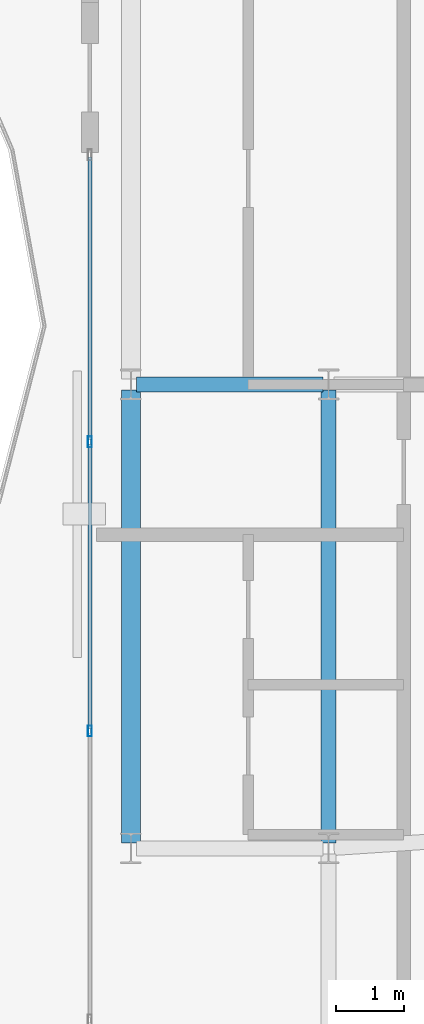
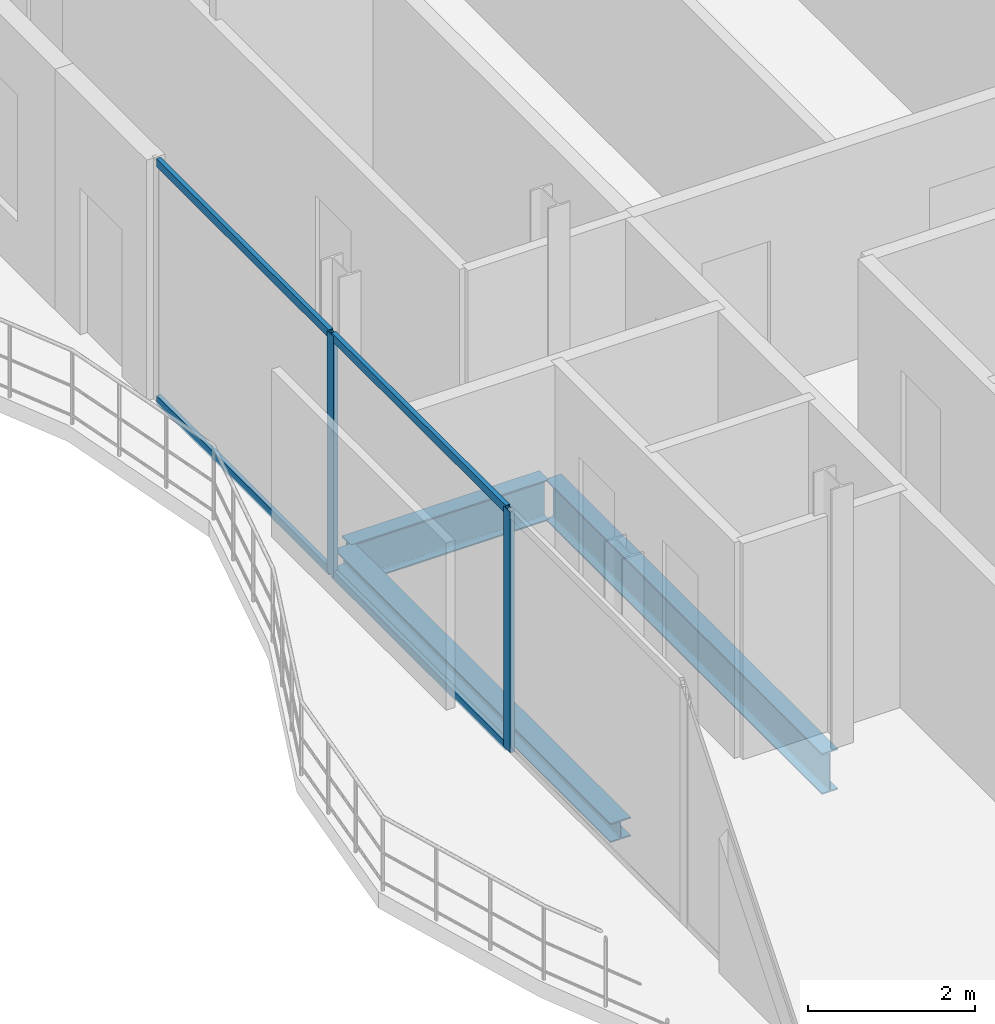
# One storey, part 10 of 23: 6 members, 3 beams, 1 element without a shape of its own.
"""IFC4 building model written with IfcOpenShell, lengths in metres."""

from ifc_helpers import new_model, si_unit, direction, frame, origin, origin_2d, place, context, subcontext, project, spatial, hollow_rectangle, i_section, extrude, material, layer, layer_set, material_profile, profile_set, type_object, element, aggregate, save


model = new_model("IFC4")

# Units and contexts
model_context = context("Model", 3, precision=1e-05, world=origin(), true_north=direction((0.0, 1.0)))
body_context = subcontext(model_context, "Body", "Model", "MODEL_VIEW")
ifc_project = project(units=[si_unit("LENGTHUNIT", "METRE"), si_unit("AREAUNIT", "SQUARE_METRE"), si_unit("VOLUMEUNIT", "CUBIC_METRE"), si_unit("PLANEANGLEUNIT", "RADIAN"), si_unit("MASSUNIT", "GRAM", prefix="KILO")], contexts=[model_context])

# Site, building, storey
site_placement = place(None, origin())
site = spatial("IfcSite", under=ifc_project, at=site_placement, CompositionType="ELEMENT")
building_placement = place(site_placement, origin())
building = spatial("IfcBuilding", under=site, at=building_placement, Name="Catumbela Crestline Tower", CompositionType="ELEMENT")
storey_placement = place(building_placement, frame((0.0, 0.0, 241.2)))
storey = spatial("IfcBuildingStorey", under=building, at=storey_placement, Name="L62", CompositionType="ELEMENT", Elevation=241.2)

# Beams
ifc_material_1 = material(Name="Structural steel S355J2", Category="steel")
ifc_material_profile_1 = material_profile(ifc_material_1, i_section(OverallWidth=0.22, OverallDepth=0.6, WebThickness=0.012, FlangeThickness=0.019, FilletRadius=0.024, at=origin_2d()), Name="IPE 600")
ifc_profile_set_1 = profile_set([ifc_material_profile_1], Name="Structural steel S355J2")
beam_type_1 = type_object("IfcBeamType", Name="BG-IPE600", PredefinedType="BEAM", material=ifc_profile_set_1)
beam_1_placement = place(storey_placement, frame((5.68, 30.8, -0.56), z_axis=(1.0, 0.0, 0.0), x_axis=(0.0, 1.0, 0.0)))
element("IfcBeam", 1, at=beam_1_placement, inside=storey, type_object=beam_type_1, Name="L62 Beam BM-L62-M06", PredefinedType="BEAM", context=body_context, shape_type="SweptSolid", body=[
    extrude(i_section(OverallWidth=0.22, OverallDepth=0.6, WebThickness=0.012, FlangeThickness=0.019, FilletRadius=0.024, at=origin_2d()), origin(), (0.0, 0.0, 1.0), 2.74),
])
beam_2_placement = place(storey_placement, frame((8.5, 24.08, -0.56), z_axis=(0.0, 1.0, 0.0), x_axis=(-1.0, 0.0, 0.0)))
element("IfcBeam", 2, at=beam_2_placement, inside=storey, type_object=beam_type_1, Name="L62 Beam BM-L62-SN14", PredefinedType="BEAM", context=body_context, shape_type="SweptSolid", body=[
    extrude(i_section(OverallWidth=0.22, OverallDepth=0.6, WebThickness=0.012, FlangeThickness=0.019, FilletRadius=0.024, at=origin_2d()), origin(), (0.0, 0.0, 1.0), 6.64),
])

# Curtain wall, members
ifc_material_2 = material(Name="Aluminium alloy AW-6060-T66", Category="aluminium")
ifc_layer = layer(ifc_material_2, 0.18, Name="Aluminium alloy AW-6060-T66")
ifc_layer_set = layer_set([ifc_layer], Name="Aluminium alloy AW-6060-T66")
curtain_wall_type = type_object("IfcCurtainWallType", Name="CWU-Z4", PredefinedType="USERDEFINED", material=ifc_layer_set)
curtain_wall_placement = place(storey_placement, origin())
curtain_wall = element("IfcCurtainWall", 3, at=curtain_wall_placement, inside=storey, type_object=curtain_wall_type, Name="L62 Unitised Curtain Wall CW-L62-E9S2", ObjectType="UNITISED", PredefinedType="USERDEFINED")
ifc_material_profile_2 = material_profile(ifc_material_2, hollow_rectangle(XDim=0.06, YDim=0.16, WallThickness=0.004, at=origin_2d()), Name="ALU 160x60x4")
ifc_profile_set_2 = profile_set([ifc_material_profile_2], Name="Aluminium alloy AW-6060-T66")
member_type_1 = type_object("IfcMemberType", Name="MUL-160X60", PredefinedType="MULLION", material=ifc_profile_set_2)
member_1_placement = place(storey_placement, frame((5.0, 29.96, 0.0), z_axis=(0.0, 0.0, 1.0), x_axis=(1.0, 0.0, 0.0)))
member_1 = element("IfcMember", 4, at=member_1_placement, type_object=member_type_1, Name="CWU-Z4 mullion 2", PredefinedType="MULLION", context=body_context, shape_type="SweptSolid", body=[
    extrude(hollow_rectangle(XDim=0.06, YDim=0.16, WallThickness=0.004, at=origin_2d()), origin(), (0.0, 0.0, 1.0), 3.53),
])
member_2_placement = place(storey_placement, frame((5.0, 25.72, 0.0), z_axis=(0.0, 0.0, 1.0), x_axis=(1.0, 0.0, 0.0)))
member_2 = element("IfcMember", 5, at=member_2_placement, type_object=member_type_1, Name="CWU-Z4 mullion 3", PredefinedType="MULLION", context=body_context, shape_type="SweptSolid", body=[
    extrude(hollow_rectangle(XDim=0.06, YDim=0.16, WallThickness=0.004, at=origin_2d()), origin(), (0.0, 0.0, 1.0), 3.53),
])

# Beam
ifc_material_profile_3 = material_profile(ifc_material_1, i_section(OverallWidth=0.28, OverallDepth=0.28, WebThickness=0.0105, FlangeThickness=0.018, FilletRadius=0.024, at=origin_2d()), Name="HEB 280")
ifc_profile_set_3 = profile_set([ifc_material_profile_3], Name="Structural steel S355J2")
beam_type_2 = type_object("IfcBeamType", Name="BS-HEB280", PredefinedType="SPANDREL", material=ifc_profile_set_3)
beam_3_placement = place(storey_placement, frame((5.6, 24.08, -0.4), z_axis=(0.0, 1.0, 0.0), x_axis=(-1.0, 0.0, 0.0)))
element("IfcBeam", 6, at=beam_3_placement, inside=storey, type_object=beam_type_2, Name="L62 Spandrel SP-L62-SN12", PredefinedType="SPANDREL", context=body_context, shape_type="SweptSolid", body=[
    extrude(i_section(OverallWidth=0.28, OverallDepth=0.28, WebThickness=0.0105, FlangeThickness=0.018, FilletRadius=0.024, at=origin_2d()), origin(), (0.0, 0.0, 1.0), 6.64),
])

# Member
ifc_material_profile_4 = material_profile(ifc_material_2, hollow_rectangle(XDim=0.06, YDim=0.12, WallThickness=0.0035, at=origin_2d()), Name="ALU 120x60x3.5")
ifc_profile_set_4 = profile_set([ifc_material_profile_4], Name="Aluminium alloy AW-6060-T66")
member_type_2 = type_object("IfcMemberType", Name="TRN-120X60", PredefinedType="USERDEFINED", material=ifc_profile_set_4)
member_3_placement = place(storey_placement, frame((5.0, 34.135, 0.03), z_axis=(0.0, -1.0, 0.0), x_axis=(1.0, 0.0, 0.0)))
member_3 = element("IfcMember", 7, at=member_3_placement, type_object=member_type_2, Name="CWU-Z4 transom 1.1", ObjectType="TRANSOM", PredefinedType="USERDEFINED", context=body_context, shape_type="SweptSolid", body=[
    extrude(hollow_rectangle(XDim=0.06, YDim=0.12, WallThickness=0.0035, at=origin_2d()), origin(), (0.0, 0.0, 1.0), 4.1425),
])

member_4_placement = place(storey_placement, frame((5.0, 34.135, 3.5), z_axis=(0.0, -1.0, 0.0), x_axis=(1.0, 0.0, 0.0)))
member_4 = element("IfcMember", 8, at=member_4_placement, type_object=member_type_2, Name="CWU-Z4 transom 1.2", ObjectType="TRANSOM", PredefinedType="USERDEFINED", context=body_context, shape_type="SweptSolid", body=[
    extrude(hollow_rectangle(XDim=0.06, YDim=0.12, WallThickness=0.0035, at=origin_2d()), origin(), (0.0, 0.0, 1.0), 4.1425),
])

member_5_placement = place(storey_placement, frame((5.0, 29.9275, 0.03), z_axis=(0.0, -1.0, 0.0), x_axis=(1.0, 0.0, 0.0)))
member_5 = element("IfcMember", 9, at=member_5_placement, type_object=member_type_2, Name="CWU-Z4 transom 2.1", ObjectType="TRANSOM", PredefinedType="USERDEFINED", context=body_context, shape_type="SweptSolid", body=[
    extrude(hollow_rectangle(XDim=0.06, YDim=0.12, WallThickness=0.0035, at=origin_2d()), origin(), (0.0, 0.0, 1.0), 4.175),
])

member_6_placement = place(storey_placement, frame((5.0, 29.9275, 3.5), z_axis=(0.0, -1.0, 0.0), x_axis=(1.0, 0.0, 0.0)))
member_6 = element("IfcMember", 10, at=member_6_placement, type_object=member_type_2, Name="CWU-Z4 transom 2.2", ObjectType="TRANSOM", PredefinedType="USERDEFINED", context=body_context, shape_type="SweptSolid", body=[
    extrude(hollow_rectangle(XDim=0.06, YDim=0.12, WallThickness=0.0035, at=origin_2d()), origin(), (0.0, 0.0, 1.0), 4.175),
])

aggregate(curtain_wall, [member_1, member_2, member_3, member_4, member_5, member_6])

save(model, "model.ifc")
